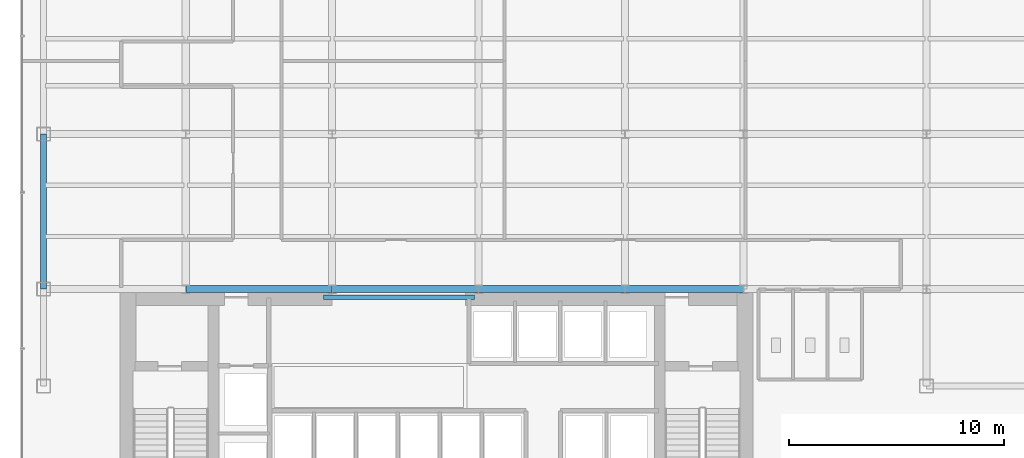
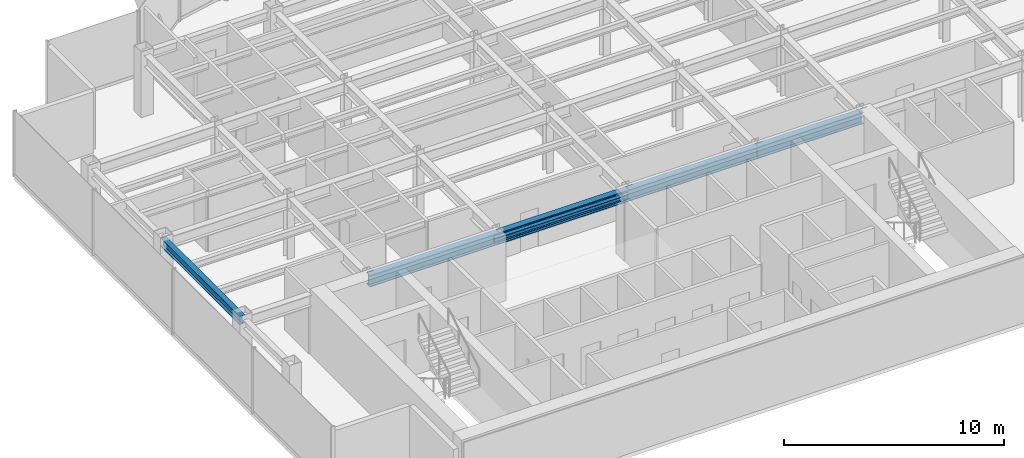
# One storey, part 4 of 23: 6 beams.
"""IFC4 building model written with IfcOpenShell, lengths in metres."""

from ifc_helpers import new_model, si_unit, derived_unit, direction, frame, origin, origin_2d, place, context, subcontext, project, spatial, i_section, extrude, source, transform, mapped, material, material_profile, profile_set, type_object, element, save


model = new_model("IFC4")

# Units and contexts
model_context = context("Model", 3, precision=1e-05, world=origin(), true_north=direction((0.0, 1.0)))
body_context = subcontext(model_context, "Body", "Model", "MODEL_VIEW")
ifc_project = project(units=[si_unit("LENGTHUNIT", "METRE"), si_unit("AREAUNIT", "SQUARE_METRE"), si_unit("VOLUMEUNIT", "CUBIC_METRE"), si_unit("PLANEANGLEUNIT", "RADIAN"), si_unit("MASSUNIT", "GRAM", prefix="KILO"), derived_unit("THERMALTRANSMITTANCEUNIT", [(si_unit("POWERUNIT", "WATT"), 1), (si_unit("LENGTHUNIT", "METRE"), -2), (si_unit("THERMODYNAMICTEMPERATUREUNIT", "KELVIN"), -1)])], contexts=[model_context])

# Site, building, storey
site_placement = place(None, origin())
site = spatial("IfcSite", under=ifc_project, at=site_placement, CompositionType="ELEMENT")
building_placement = place(site_placement, origin())
building = spatial("IfcBuilding", under=site, at=building_placement, Name="Skarnbrae Concourse Arena and Tower", CompositionType="ELEMENT")
storey_placement = place(building_placement, frame((0.0, 0.0, 140.60009765625)))
storey = spatial("IfcBuildingStorey", under=building, at=storey_placement, Name="L35", CompositionType="ELEMENT", Elevation=140.60009765625)

# Beams
ifc_material = material(Name="Steel CSA G40.21 350W", Category="steel")
ifc_material_profile_1 = material_profile(ifc_material, i_section(OverallWidth=0.202880859375, OverallDepth=0.251953125, WebThickness=0.008056640625, FlangeThickness=0.013427734375, at=origin_2d()), Name="W250X58")
ifc_profile_set_1 = profile_set([ifc_material_profile_1], Name="Steel CSA G40.21 350W")
beam_type_1 = type_object("IfcBeamType", Name="BM-LINTEL-W250X58", PredefinedType="LINTEL", material=ifc_profile_set_1)
shared_shape_1 = source(origin(), body_context, "Body", "SweptSolid", [
    extrude(i_section(OverallWidth=0.202880859375, OverallDepth=0.251953125, WebThickness=0.008056640625, FlangeThickness=0.013427734375, at=origin_2d()), origin(), (0.0, 0.0, 1.0), 7.0),
])
beam_1_placement = place(storey_placement, frame((14.0, 13.625, 3.27392578125), z_axis=(1.0, 0.0, 0.0), x_axis=(0.0, 1.0, 0.0)))
element("IfcBeam", 1, at=beam_1_placement, inside=storey, type_object=beam_type_1, Name="L35 Core portal coupling lintel", PredefinedType="LINTEL", context=body_context, shape_type="MappedRepresentation", body=[
    mapped(shared_shape_1, transform((0.0, 0.0, 0.0))),
])
ifc_material_profile_2 = material_profile(ifc_material, i_section(OverallWidth=0.3291015625, OverallDepth=0.635009765625, WebThickness=0.017822265625, FlangeThickness=0.031005859375, at=origin_2d()), Name="W610X241")
ifc_profile_set_2 = profile_set([ifc_material_profile_2], Name="Steel CSA G40.21 350W")
beam_type_2 = type_object("IfcBeamType", Name="BM-GIRD-W610X241", PredefinedType="BEAM", material=ifc_profile_set_2)
shared_shape_2 = source(origin(), body_context, "Body", "SweptSolid", [
    extrude(i_section(OverallWidth=0.3291015625, OverallDepth=0.635009765625, WebThickness=0.017822265625, FlangeThickness=0.031005859375, at=origin_2d()), origin(), (0.0, 0.0, 1.0), 6.7998046875),
])
beam_2_placement = place(storey_placement, frame((7.60009765625, 14.0, 3.08251953125), z_axis=(1.0, 0.0, 0.0), x_axis=(0.0, 1.0, 0.0)))
element("IfcBeam", 2, at=beam_2_placement, inside=storey, type_object=beam_type_2, Name="L35 Primary E-W girder Y14.0-2", PredefinedType="BEAM", context=body_context, shape_type="MappedRepresentation", body=[
    mapped(shared_shape_2, transform((0.0, 0.0, 0.0))),
])
shared_shape_3 = source(origin(), body_context, "Body", "SweptSolid", [
    extrude(i_section(OverallWidth=0.3291015625, OverallDepth=0.635009765625, WebThickness=0.017822265625, FlangeThickness=0.031005859375, at=origin_2d()), origin(), (0.0, 0.0, 1.0), 6.800048828125),
])
for number, where, z_axis, x_axis, name in (
    (3, (14.39990234375, 14.0, 3.08251953125), (1.0, 0.0, 0.0), (0.0, 1.0, 0.0), "L35 Primary E-W girder Y14.0-3"),
    (4, (21.199951171875, 14.0, 3.08251953125), (1.0, 0.0, 0.0), (0.0, 1.0, 0.0), "L35 Primary E-W girder Y14.0-4"),
):
    element("IfcBeam", number, at=place(storey_placement, frame(where, z_axis=z_axis, x_axis=x_axis)), inside=storey, type_object=beam_type_2, Name=name, PredefinedType="BEAM", context=body_context, shape_type="MappedRepresentation", body=[
        mapped(shared_shape_3, transform((0.0, 0.0, 0.0))),
    ])
shared_shape_4 = source(origin(), body_context, "Body", "SweptSolid", [
    extrude(i_section(OverallWidth=0.3291015625, OverallDepth=0.635009765625, WebThickness=0.017822265625, FlangeThickness=0.031005859375, at=origin_2d()), origin(), (0.0, 0.0, 1.0), 5.5),
])
beam_3_placement = place(storey_placement, frame((28.0, 14.0, 3.08251953125), z_axis=(1.0, 0.0, 0.0), x_axis=(0.0, 1.0, 0.0)))
element("IfcBeam", 5, at=beam_3_placement, inside=storey, type_object=beam_type_2, Name="L35 Primary E-W girder Y14.0-5", PredefinedType="BEAM", context=body_context, shape_type="MappedRepresentation", body=[
    mapped(shared_shape_4, transform((0.0, 0.0, 0.0))),
])
ifc_material_profile_3 = material_profile(ifc_material, i_section(OverallWidth=0.280029296875, OverallDepth=0.462890625, WebThickness=0.0107421875, FlangeThickness=0.017333984375, at=origin_2d()), Name="W460X113")
ifc_profile_set_3 = profile_set([ifc_material_profile_3], Name="Steel CSA G40.21 350W")
beam_type_3 = type_object("IfcBeamType", Name="BM-SPAN-W460X113", PredefinedType="SPANDREL", material=ifc_profile_set_3)
shared_shape_5 = source(origin(), body_context, "Body", "SweptSolid", [
    extrude(i_section(OverallWidth=0.280029296875, OverallDepth=0.462890625, WebThickness=0.0107421875, FlangeThickness=0.017333984375, at=origin_2d()), origin(), (0.0, 0.0, 1.0), 7.199951171875),
])
beam_4_placement = place(storey_placement, frame((1.0, 14.0, 3.16845703125), z_axis=(0.0, 1.0, 0.0), x_axis=(-1.0, 0.0, 0.0)))
element("IfcBeam", 6, at=beam_4_placement, inside=storey, type_object=beam_type_3, Name="L35 Perimeter spandrel X1.0-2", PredefinedType="SPANDREL", context=body_context, shape_type="MappedRepresentation", body=[
    mapped(shared_shape_5, transform((0.0, 0.0, 0.0))),
])

save(model, "model.ifc")
